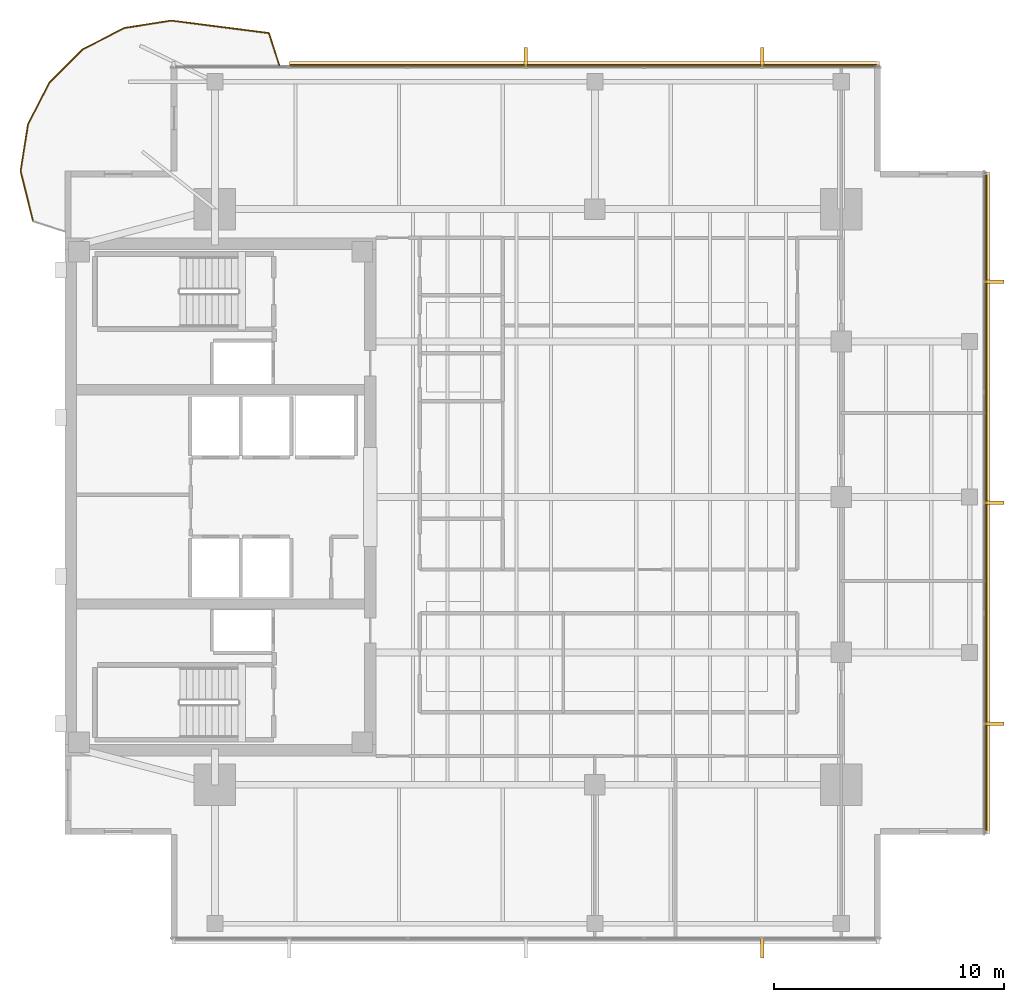
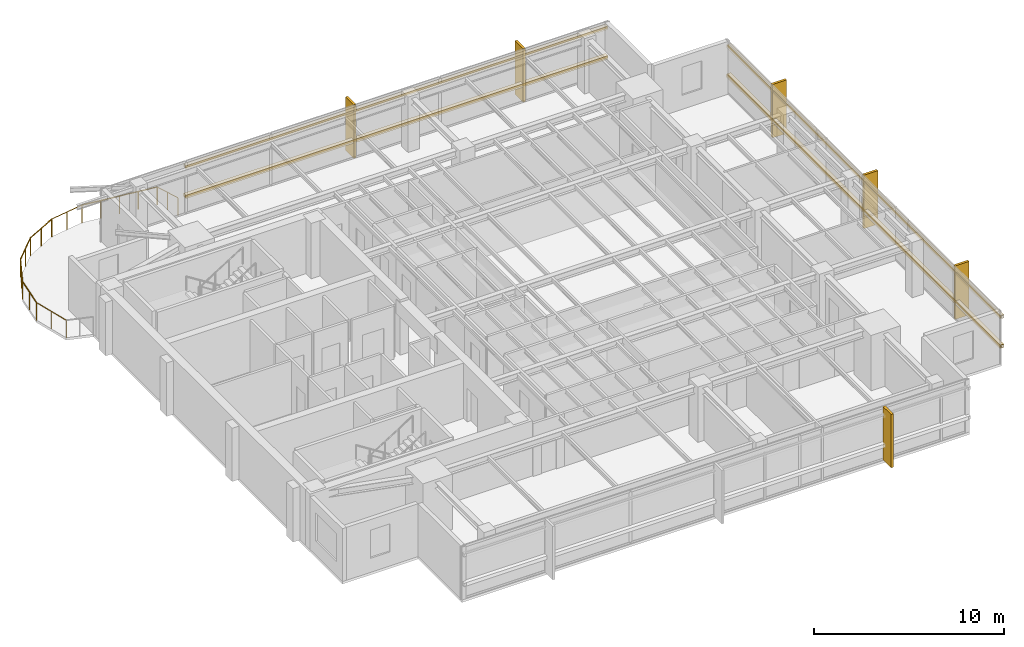
# One storey, part 14 of 14: 10 coverings, 8 railings, 4 shading devices.
"""IFC4 building model written with IfcOpenShell, lengths in metres."""

from ifc_helpers import new_model, si_unit, direction, frame, origin, origin_2d, place, context, subcontext, project, spatial, polyline, rectangle, circle, outline, extrude, material, layer, layer_set, material_profile, profile_set, type_object, element, save


model = new_model("IFC4")

# Units and contexts
model_context = context("Model", 3, precision=1e-05, world=origin(), true_north=direction((0.0, 1.0)))
body_context = subcontext(model_context, "Body", "Model", "MODEL_VIEW")
ifc_project = project(units=[si_unit("LENGTHUNIT", "METRE"), si_unit("AREAUNIT", "SQUARE_METRE"), si_unit("VOLUMEUNIT", "CUBIC_METRE"), si_unit("PLANEANGLEUNIT", "RADIAN"), si_unit("MASSUNIT", "GRAM", prefix="KILO")], contexts=[model_context])

# Site, building, storey
site_placement = place(None, origin())
site = spatial("IfcSite", under=ifc_project, at=site_placement, CompositionType="ELEMENT")
building_placement = place(site_placement, origin())
building = spatial("IfcBuilding", under=site, at=building_placement, Name="Kinhvarn Gate Tower", CompositionType="ELEMENT")
storey_placement = place(building_placement, frame((0.0, 0.0, 277.64990234375)))
storey = spatial("IfcBuildingStorey", under=building, at=storey_placement, Name="L74", CompositionType="ELEMENT", Elevation=277.64990234375)

# Coverings
ifc_material_1 = material(Name="Fired architectural terracotta", Category="masonry")
ifc_layer_1 = layer(ifc_material_1, 0.239990234375)
ifc_layer_set_1 = layer_set([ifc_layer_1], Name="Fired architectural terracotta")
covering_type_1 = type_object("IfcCoveringType", Name="COV-BAG-220", PredefinedType="CLADDING", material=ifc_layer_set_1)
for number, where, name in (
    (1, (0.0, 0.0, 0.940185546875), "Terracotta Horizontal Sunscreen Band TBG-220 (L74)"),
    (2, (0.0, 0.0, 2.830078125), "Terracotta Horizontal Sunscreen Band TBG-220 (L74)"),
):
    element("IfcCovering", number, at=place(storey_placement, frame(where)), inside=storey, type_object=covering_type_1, Name=name, PredefinedType="CLADDING", context=body_context, shape_type="SweptSolid", body=[
        extrude(outline(polyline([(39.860107421875, 43.929931640625), (14.2490234375, 43.929931640625), (14.2490234375, 44.169921875), (39.860107421875, 44.169921875), (39.860107421875, 43.929931640625)])), origin(), (0.0, 0.0, 1.0), 0.219970703125),
    ])
for number, where, name in (
    (3, (0.0, 0.0, 0.940185546875), "Terracotta Horizontal Sunscreen Band TBG-220 (L74)"),
    (4, (0.0, 0.0, 2.830078125), "Terracotta Horizontal Sunscreen Band TBG-220 (L74)"),
):
    element("IfcCovering", number, at=place(storey_placement, frame(where)), inside=storey, type_object=covering_type_1, Name=name, PredefinedType="CLADDING", context=body_context, shape_type="SweptSolid", body=[
        extrude(outline(polyline([(44.429931640625, 10.639892578125), (44.429931640625, 39.360107421875), (44.669921875, 39.360107421875), (44.669921875, 10.639892578125), (44.429931640625, 10.639892578125)])), origin(), (0.0, 0.0, 1.0), 0.219970703125),
    ])
ifc_layer_2 = layer(ifc_material_1, 0.139892578125)
ifc_layer_set_2 = layer_set([ifc_layer_2], Name="Fired architectural terracotta")
covering_type_2 = type_object("IfcCoveringType", Name="COV-FIN-850", PredefinedType="CLADDING", material=ifc_layer_set_2)
covering_1_placement = place(storey_placement, frame((0.0, 0.0, -0.02001953125)))
element("IfcCovering", 5, at=covering_1_placement, inside=storey, type_object=covering_type_2, Name="Vertical Terracotta Expressive Fin TFN-850 (L74)", PredefinedType="CLADDING", context=body_context, shape_type="SweptSolid", body=[
    extrude(outline(polyline([(34.69677734375, 6.080078125), (34.836669921875, 6.080078125), (34.836669921875, 5.22998046875), (34.69677734375, 5.22998046875), (34.69677734375, 6.080078125)])), origin(), (0.0, 0.0, 1.0), 3.43017578125),
])
covering_2_placement = place(storey_placement, frame((0.0, 0.0, -0.02001953125)))
element("IfcCovering", 6, at=covering_2_placement, inside=storey, type_object=covering_type_2, Name="Vertical Terracotta Expressive Fin TFN-850 (L74)", PredefinedType="CLADDING", context=body_context, shape_type="SweptSolid", body=[
    extrude(outline(polyline([(34.836669921875, 43.919921875), (34.69677734375, 43.919921875), (34.69677734375, 44.77001953125), (34.836669921875, 44.77001953125), (34.836669921875, 43.919921875)])), origin(), (0.0, 0.0, 1.0), 3.43017578125),
])
covering_3_placement = place(storey_placement, frame((0.0, 0.0, -0.02001953125)))
element("IfcCovering", 7, at=covering_3_placement, inside=storey, type_object=covering_type_2, Name="Vertical Terracotta Expressive Fin TFN-850 (L74)", PredefinedType="CLADDING", context=body_context, shape_type="SweptSolid", body=[
    extrude(outline(polyline([(24.570068359375, 43.919921875), (24.429931640625, 43.919921875), (24.429931640625, 44.77001953125), (24.570068359375, 44.77001953125), (24.570068359375, 43.919921875)])), origin(), (0.0, 0.0, 1.0), 3.43017578125),
])
covering_4_placement = place(storey_placement, frame((0.0, 0.0, -0.02001953125)))
element("IfcCovering", 8, at=covering_4_placement, inside=storey, type_object=covering_type_2, Name="Vertical Terracotta Expressive Fin TFN-850 (L74)", PredefinedType="CLADDING", context=body_context, shape_type="SweptSolid", body=[
    extrude(outline(polyline([(44.419921875, 15.330078125), (44.419921875, 15.469970703125), (45.27001953125, 15.469970703125), (45.27001953125, 15.330078125), (44.419921875, 15.330078125)])), origin(), (0.0, 0.0, 1.0), 3.43017578125),
])
covering_5_placement = place(storey_placement, frame((0.0, 0.0, -0.02001953125)))
element("IfcCovering", 9, at=covering_5_placement, inside=storey, type_object=covering_type_2, Name="Vertical Terracotta Expressive Fin TFN-850 (L74)", PredefinedType="CLADDING", context=body_context, shape_type="SweptSolid", body=[
    extrude(outline(polyline([(44.419921875, 24.929931640625), (44.419921875, 25.070068359375), (45.27001953125, 25.070068359375), (45.27001953125, 24.929931640625), (44.419921875, 24.929931640625)])), origin(), (0.0, 0.0, 1.0), 3.43017578125),
])
covering_6_placement = place(storey_placement, frame((0.0, 0.0, -0.02001953125)))
element("IfcCovering", 10, at=covering_6_placement, inside=storey, type_object=covering_type_2, Name="Vertical Terracotta Expressive Fin TFN-850 (L74)", PredefinedType="CLADDING", context=body_context, shape_type="SweptSolid", body=[
    extrude(outline(polyline([(44.419921875, 34.530029296875), (44.419921875, 34.669921875), (45.27001953125, 34.669921875), (45.27001953125, 34.530029296875), (44.419921875, 34.530029296875)])), origin(), (0.0, 0.0, 1.0), 3.43017578125),
])

# Railings
ifc_material_2 = material(Name="Clear low-e double glazing", Category="glass")
railing_type = type_object("IfcRailingType", Name="RL-BAL-1150", PredefinedType="BALUSTRADE", material=ifc_material_2)
railing_1_placement = place(storey_placement, frame((13.799072265625, 44.0, 0.0)))
element("IfcRailing", 11, at=railing_1_placement, inside=storey, type_object=railing_type, Name="S-Carve Balcony Guardrail Seg 1 (L74)", PredefinedType="BALUSTRADE", context=body_context, shape_type="SweptSolid", body=[
    extrude(circle(Radius=0.02392578125, at=origin_2d()), frame((0.0, 0.0, 1.1259765625), z_axis=(-0.306774191371, 0.951782325697, 0.0), x_axis=(-0.951782325697, -0.306774191371, 0.0)), (0.0, 0.0, 1.0), 1.466796875),
    extrude(circle(Radius=0.02099609375, at=origin_2d()), origin(), (0.0, 0.0, 1.0), 1.101806640625),
    extrude(circle(Radius=0.02099609375, at=origin_2d()), frame((-0.22509765625, 0.697998046875, 0.0)), (0.0, 0.0, 1.0), 1.101806640625),
    extrude(circle(Radius=0.02099609375, at=origin_2d()), frame((-0.449951171875, 1.39599609375, 0.0)), (0.0, 0.0, 1.0), 1.101806640625),
])
railing_2_placement = place(storey_placement, frame((13.34912109375, 45.39599609375, 0.0)))
element("IfcRailing", 12, at=railing_2_placement, inside=storey, type_object=railing_type, Name="S-Carve Balcony Guardrail Seg 2 (L74)", PredefinedType="BALUSTRADE", context=body_context, shape_type="SweptSolid", body=[
    extrude(circle(Radius=0.02392578125, at=origin_2d()), frame((0.0, 0.0, 1.1259765625), z_axis=(-0.991933930137, 0.126755979121, 0.0), x_axis=(-0.126755979121, -0.991933930137, 0.0)), (0.0, 0.0, 1.0), 4.28369140625),
    extrude(circle(Radius=0.02099609375, at=origin_2d()), origin(), (0.0, 0.0, 1.0), 1.101806640625),
    extrude(circle(Radius=0.02099609375, at=origin_2d()), frame((-1.062255859375, 0.1357421875, 0.0)), (0.0, 0.0, 1.0), 1.101806640625),
    extrude(circle(Radius=0.02099609375, at=origin_2d()), frame((-2.12451171875, 0.271484375, 0.0)), (0.0, 0.0, 1.0), 1.101806640625),
    extrude(circle(Radius=0.02099609375, at=origin_2d()), frame((-3.186767578125, 0.4072265625, 0.0)), (0.0, 0.0, 1.0), 1.101806640625),
    extrude(circle(Radius=0.02099609375, at=origin_2d()), frame((-4.2490234375, 0.54296875, 0.0)), (0.0, 0.0, 1.0), 1.101806640625),
])
railing_3_placement = place(storey_placement, frame((9.10009765625, 45.93896484375, 0.0)))
element("IfcRailing", 13, at=railing_3_placement, inside=storey, type_object=railing_type, Name="S-Carve Balcony Guardrail Seg 3 (L74)", PredefinedType="BALUSTRADE", context=body_context, shape_type="SweptSolid", body=[
    extrude(circle(Radius=0.02392578125, at=origin_2d()), frame((0.0, 0.0, 1.1259765625), z_axis=(-0.987687382065, -0.15644051684, 0.0), x_axis=(0.15644051684, -0.987687382065, 0.0)), (0.0, 0.0, 1.0), 2.0458984375),
    extrude(circle(Radius=0.02099609375, at=origin_2d()), origin(), (0.0, 0.0, 1.0), 1.101806640625),
    extrude(circle(Radius=0.02099609375, at=origin_2d()), frame((-1.01025390625, -0.16015625, 0.0)), (0.0, 0.0, 1.0), 1.101806640625),
    extrude(circle(Radius=0.02099609375, at=origin_2d()), frame((-2.020751953125, -0.320068359375, 0.0)), (0.0, 0.0, 1.0), 1.101806640625),
])
railing_4_placement = place(storey_placement, frame((7.079345703125, 45.618896484375, 0.0)))
element("IfcRailing", 14, at=railing_4_placement, inside=storey, type_object=railing_type, Name="S-Carve Balcony Guardrail Seg 4 (L74)", PredefinedType="BALUSTRADE", context=body_context, shape_type="SweptSolid", body=[
    extrude(circle(Radius=0.02392578125, at=origin_2d()), frame((0.0, 0.0, 1.1259765625), z_axis=(-0.891012172594, -0.453979413949, 0.0), x_axis=(0.453979413949, -0.891012172594, 0.0)), (0.0, 0.0, 1.0), 2.045654296875),
    extrude(circle(Radius=0.02099609375, at=origin_2d()), origin(), (0.0, 0.0, 1.0), 1.101806640625),
    extrude(circle(Radius=0.02099609375, at=origin_2d()), frame((-0.911376953125, -0.46435546875, 0.0)), (0.0, 0.0, 1.0), 1.101806640625),
    extrude(circle(Radius=0.02099609375, at=origin_2d()), frame((-1.82275390625, -0.9287109375, 0.0)), (0.0, 0.0, 1.0), 1.101806640625),
])
railing_5_placement = place(storey_placement, frame((5.256591796875, 44.690185546875, 0.0)))
element("IfcRailing", 15, at=railing_5_placement, inside=storey, type_object=railing_type, Name="S-Carve Balcony Guardrail Seg 5 (L74)", PredefinedType="BALUSTRADE", context=body_context, shape_type="SweptSolid", body=[
    extrude(circle(Radius=0.02392578125, at=origin_2d()), frame((0.0, 0.0, 1.1259765625), z_axis=(-0.707106781187, -0.707106781187, 0.0), x_axis=(0.707106781187, -0.707106781187, 0.0)), (0.0, 0.0, 1.0), 2.046142578125),
    extrude(circle(Radius=0.02099609375, at=origin_2d()), origin(), (0.0, 0.0, 1.0), 1.101806640625),
    extrude(circle(Radius=0.02099609375, at=origin_2d()), frame((-0.723388671875, -0.723388671875, 0.0)), (0.0, 0.0, 1.0), 1.101806640625),
    extrude(circle(Radius=0.02099609375, at=origin_2d()), frame((-1.44677734375, -1.44677734375, 0.0)), (0.0, 0.0, 1.0), 1.101806640625),
])
railing_6_placement = place(storey_placement, frame((3.809814453125, 43.243408203125, 0.0)))
element("IfcRailing", 16, at=railing_6_placement, inside=storey, type_object=railing_type, Name="S-Carve Balcony Guardrail Seg 6 (L74)", PredefinedType="BALUSTRADE", context=body_context, shape_type="SweptSolid", body=[
    extrude(circle(Radius=0.02392578125, at=origin_2d()), frame((0.0, 0.0, 1.1259765625), z_axis=(-0.453979413949, -0.891012172594, 0.0), x_axis=(0.891012172594, -0.453979413949, 0.0)), (0.0, 0.0, 1.0), 2.045654296875),
    extrude(circle(Radius=0.02099609375, at=origin_2d()), origin(), (0.0, 0.0, 1.0), 1.101806640625),
    extrude(circle(Radius=0.02099609375, at=origin_2d()), frame((-0.46435546875, -0.911376953125, 0.0)), (0.0, 0.0, 1.0), 1.101806640625),
    extrude(circle(Radius=0.02099609375, at=origin_2d()), frame((-0.9287109375, -1.82275390625, 0.0)), (0.0, 0.0, 1.0), 1.101806640625),
])
railing_7_placement = place(storey_placement, frame((2.881103515625, 41.420654296875, 0.0)))
element("IfcRailing", 17, at=railing_7_placement, inside=storey, type_object=railing_type, Name="S-Carve Balcony Guardrail Seg 7 (L74)", PredefinedType="BALUSTRADE", context=body_context, shape_type="SweptSolid", body=[
    extrude(circle(Radius=0.02392578125, at=origin_2d()), frame((0.0, 0.0, 1.1259765625), z_axis=(-0.15644051684, -0.987687382065, 0.0), x_axis=(0.987687382065, -0.15644051684, 0.0)), (0.0, 0.0, 1.0), 2.0458984375),
    extrude(circle(Radius=0.02099609375, at=origin_2d()), origin(), (0.0, 0.0, 1.0), 1.101806640625),
    extrude(circle(Radius=0.02099609375, at=origin_2d()), frame((-0.16015625, -1.01025390625, 0.0)), (0.0, 0.0, 1.0), 1.101806640625),
    extrude(circle(Radius=0.02099609375, at=origin_2d()), frame((-0.320068359375, -2.020751953125, 0.0)), (0.0, 0.0, 1.0), 1.101806640625),
])
railing_8_placement = place(storey_placement, frame((2.56103515625, 39.39990234375, 0.0)))
element("IfcRailing", 18, at=railing_8_placement, inside=storey, type_object=railing_type, Name="S-Carve Balcony Guardrail Seg 8 (L74)", PredefinedType="BALUSTRADE", context=body_context, shape_type="SweptSolid", body=[
    extrude(circle(Radius=0.02392578125, at=origin_2d()), frame((0.0, 0.0, 1.1259765625), z_axis=(0.241386239804, -0.97042912324, 0.0), x_axis=(0.97042912324, 0.241386239804, 0.0)), (0.0, 0.0, 1.0), 2.249267578125),
    extrude(circle(Radius=0.02099609375, at=origin_2d()), origin(), (0.0, 0.0, 1.0), 1.101806640625),
    extrude(circle(Radius=0.02099609375, at=origin_2d()), frame((0.271484375, -1.09130859375, 0.0)), (0.0, 0.0, 1.0), 1.101806640625),
    extrude(circle(Radius=0.02099609375, at=origin_2d()), frame((0.54296875, -2.182861328125, 0.0)), (0.0, 0.0, 1.0), 1.101806640625),
])

# Shading devices
ifc_material_profile = material_profile(ifc_material_1, rectangle(XDim=0.050048828125, YDim=0.1201171875, at=origin_2d()), Name="TC 50x120")
ifc_profile_set = profile_set([ifc_material_profile], Name="Fired architectural terracotta")
shading_device_type = type_object("IfcShadingDeviceType", Name="SHD-BAG-140", PredefinedType="USERDEFINED", material=ifc_profile_set)
for number, where, z_axis, x_axis, name in (
    (19, (39.860107421875, 44.0, 1.050048828125), (-1.0, 0.0, 0.0), (0.0, -1.0, 0.0), "Upper Tower Terracotta Baguette Screen Rod 50x120 mm (L74)"),
    (20, (39.860107421875, 44.0, 2.940185546875), (-1.0, 0.0, 0.0), (0.0, -1.0, 0.0), "Upper Tower Terracotta Baguette Screen Rod 50x120 mm (L74)"),
):
    element("IfcShadingDevice", number, at=place(storey_placement, frame(where, z_axis=z_axis, x_axis=x_axis)), inside=storey, type_object=shading_device_type, Name=name, ObjectType="BAGUETTE", PredefinedType="USERDEFINED", context=body_context, shape_type="SweptSolid", body=[
        extrude(rectangle(XDim=0.050048828125, YDim=0.1201171875, at=origin_2d()), origin(), (0.0, 0.0, 1.0), 25.611083984375),
    ])
for number, where, z_axis, x_axis, name in (
    (21, (44.5, 10.639892578125, 1.050048828125), (0.0, 1.0, 0.0), (-1.0, 0.0, 0.0), "Upper Tower Terracotta Baguette Screen Rod 50x120 mm (L74)"),
    (22, (44.5, 10.639892578125, 2.940185546875), (0.0, 1.0, 0.0), (-1.0, 0.0, 0.0), "Upper Tower Terracotta Baguette Screen Rod 50x120 mm (L74)"),
):
    element("IfcShadingDevice", number, at=place(storey_placement, frame(where, z_axis=z_axis, x_axis=x_axis)), inside=storey, type_object=shading_device_type, Name=name, ObjectType="BAGUETTE", PredefinedType="USERDEFINED", context=body_context, shape_type="SweptSolid", body=[
        extrude(rectangle(XDim=0.050048828125, YDim=0.1201171875, at=origin_2d()), origin(), (0.0, 0.0, 1.0), 28.72021484375),
    ])

save(model, "model.ifc")
